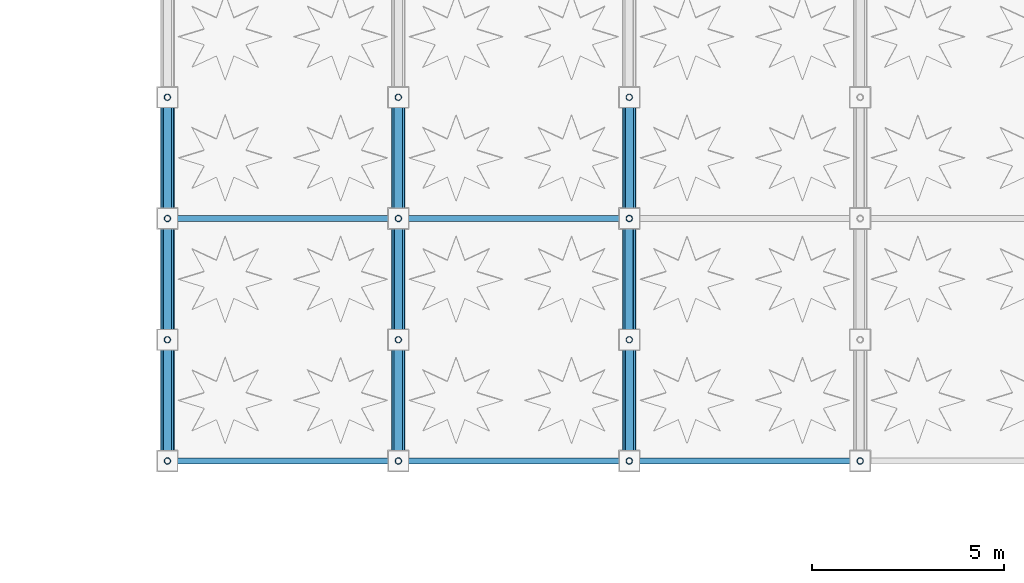
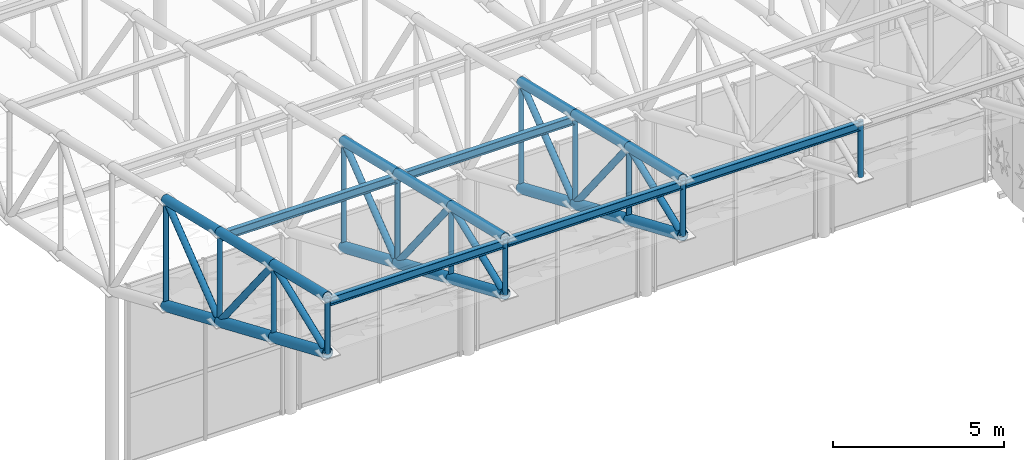
# One storey, part 16 of 123: 40 members, 5 beams.
"""IFC4 building model written with IfcOpenShell, lengths in metres."""

from ifc_helpers import new_model, si_unit, direction, frame, origin, origin_2d, place, context, subcontext, project, spatial, hollow_circle, i_section, extrude, material, material_profile, profile_set, type_object, element, save


model = new_model("IFC4")

# Units and contexts
model_context = context("Model", 3, precision=1e-05, world=origin(), true_north=direction((0.0, 1.0)))
body_context = subcontext(model_context, "Body", "Model", "MODEL_VIEW")
ifc_project = project(units=[si_unit("LENGTHUNIT", "METRE"), si_unit("AREAUNIT", "SQUARE_METRE"), si_unit("VOLUMEUNIT", "CUBIC_METRE"), si_unit("PLANEANGLEUNIT", "RADIAN"), si_unit("MASSUNIT", "GRAM", prefix="KILO"), si_unit("THERMODYNAMICTEMPERATUREUNIT", "KELVIN"), si_unit("POWERUNIT", "WATT")], contexts=[model_context])

# Site, building, storey
site_placement = place(None, origin())
site = spatial("IfcSite", under=ifc_project, at=site_placement, CompositionType="ELEMENT")
building_placement = place(site_placement, origin())
building = spatial("IfcBuilding", under=site, at=building_placement, Name="Phaisarnlok Congress Hotel", CompositionType="ELEMENT")
storey_placement = place(building_placement, frame((0.0, 0.0, 15.0)))
storey = spatial("IfcBuildingStorey", under=building, at=storey_placement, Name="L03", CompositionType="ELEMENT", Elevation=15.0)

# Beams
ifc_material = material(Name="Steel S355", Category="steel")
ifc_material_profile_1 = material_profile(ifc_material, i_section(OverallWidth=0.14990234375, OverallDepth=0.300048828125, WebThickness=0.007080078125, FlangeThickness=0.0107421875, FilletRadius=0.014892578125, at=origin_2d()), Name="IPE 300")
ifc_profile_set_1 = profile_set([ifc_material_profile_1], Name="Steel S355")
beam_type = type_object("IfcBeamType", Name="JS-STL-IPE300-EXT", PredefinedType="JOIST", material=ifc_profile_set_1)
for number, where, z_axis, x_axis, name in (
    (1, (66.0, 11.699951171875, 12.13427734375), (1.0, 0.0, 0.0), (0.0, 1.0, 0.0), "South wing roof purlin"),
    (2, (66.0, 5.39990234375, 13.637939453125), (1.0, 0.0, 0.0), (0.0, 1.0, 0.0), "South wing roof purlin"),
    (3, (72.0, 11.699951171875, 12.13427734375), (1.0, 0.0, 0.0), (0.0, 1.0, 0.0), "South wing roof purlin"),
    (4, (72.0, 5.39990234375, 13.637939453125), (1.0, 0.0, 0.0), (0.0, 1.0, 0.0), "South wing roof purlin"),
    (5, (78.0, 5.39990234375, 13.637939453125), (1.0, 0.0, 0.0), (0.0, 1.0, 0.0), "South wing roof purlin"),
):
    element("IfcBeam", number, at=place(storey_placement, frame(where, z_axis=z_axis, x_axis=x_axis)), inside=storey, type_object=beam_type, Name=name, PredefinedType="JOIST", context=body_context, shape_type="SweptSolid", body=[
        extrude(i_section(OverallWidth=0.14990234375, OverallDepth=0.300048828125, WebThickness=0.007080078125, FlangeThickness=0.0107421875, FilletRadius=0.014892578125, at=origin_2d()), origin(), (0.0, 0.0, 1.0), 6.0),
    ])

# Members
ifc_material_profile_2 = material_profile(ifc_material, hollow_circle(Radius=0.084228515625, WallThickness=0.010009765625, at=origin_2d()), Name="CHS 168.3x10")
ifc_profile_set_2 = profile_set([ifc_material_profile_2], Name="Steel S355")
member_type_1 = type_object("IfcMemberType", Name="MEM-BRC-CHS168-EXT", PredefinedType="BRACE", material=ifc_profile_set_2)
member_1_placement = place(storey_placement, frame((66.0, 14.85009765625, 7.75), z_axis=(0.0, 0.0, 1.0), x_axis=(1.0, 0.0, 0.0)))
element("IfcMember", 6, at=member_1_placement, inside=storey, type_object=member_type_1, Name="South wing roof truss vertical web", PredefinedType="BRACE", context=body_context, shape_type="SweptSolid", body=[
    extrude(hollow_circle(Radius=0.084228515625, WallThickness=0.010009765625, at=origin_2d()), origin(), (0.0, 0.0, 1.0), 3.79443359375),
])
member_2_placement = place(storey_placement, frame((66.0, 11.699951171875, 9.10009765625), z_axis=(0.0, 0.0, 1.0), x_axis=(1.0, 0.0, 0.0)))
element("IfcMember", 7, at=member_2_placement, inside=storey, type_object=member_type_1, Name="South wing roof truss vertical web", PredefinedType="BRACE", context=body_context, shape_type="SweptSolid", body=[
    extrude(hollow_circle(Radius=0.084228515625, WallThickness=0.010009765625, at=origin_2d()), origin(), (0.0, 0.0, 1.0), 3.1962890625),
])
member_3_placement = place(storey_placement, frame((66.0, 8.550048828125, 10.449951171875), z_axis=(0.0, 0.0, 1.0), x_axis=(1.0, 0.0, 0.0)))
element("IfcMember", 8, at=member_3_placement, inside=storey, type_object=member_type_1, Name="South wing roof truss vertical web", PredefinedType="BRACE", context=body_context, shape_type="SweptSolid", body=[
    extrude(hollow_circle(Radius=0.084228515625, WallThickness=0.010009765625, at=origin_2d()), origin(), (0.0, 0.0, 1.0), 2.59814453125),
])
member_4_placement = place(storey_placement, frame((66.0, 5.39990234375, 11.800048828125), z_axis=(0.0, 0.0, 1.0), x_axis=(1.0, 0.0, 0.0)))
element("IfcMember", 9, at=member_4_placement, inside=storey, type_object=member_type_1, Name="South wing roof truss vertical web", PredefinedType="BRACE", context=body_context, shape_type="SweptSolid", body=[
    extrude(hollow_circle(Radius=0.084228515625, WallThickness=0.010009765625, at=origin_2d()), origin(), (0.0, 0.0, 1.0), 2.0),
])
member_5_placement = place(storey_placement, frame((72.0, 14.85009765625, 7.75), z_axis=(0.0, 0.0, 1.0), x_axis=(1.0, 0.0, 0.0)))
element("IfcMember", 10, at=member_5_placement, inside=storey, type_object=member_type_1, Name="South wing roof truss vertical web", PredefinedType="BRACE", context=body_context, shape_type="SweptSolid", body=[
    extrude(hollow_circle(Radius=0.084228515625, WallThickness=0.010009765625, at=origin_2d()), origin(), (0.0, 0.0, 1.0), 3.79443359375),
])
member_6_placement = place(storey_placement, frame((72.0, 11.699951171875, 9.10009765625), z_axis=(0.0, 0.0, 1.0), x_axis=(1.0, 0.0, 0.0)))
element("IfcMember", 11, at=member_6_placement, inside=storey, type_object=member_type_1, Name="South wing roof truss vertical web", PredefinedType="BRACE", context=body_context, shape_type="SweptSolid", body=[
    extrude(hollow_circle(Radius=0.084228515625, WallThickness=0.010009765625, at=origin_2d()), origin(), (0.0, 0.0, 1.0), 3.1962890625),
])
member_7_placement = place(storey_placement, frame((72.0, 8.550048828125, 10.449951171875), z_axis=(0.0, 0.0, 1.0), x_axis=(1.0, 0.0, 0.0)))
element("IfcMember", 12, at=member_7_placement, inside=storey, type_object=member_type_1, Name="South wing roof truss vertical web", PredefinedType="BRACE", context=body_context, shape_type="SweptSolid", body=[
    extrude(hollow_circle(Radius=0.084228515625, WallThickness=0.010009765625, at=origin_2d()), origin(), (0.0, 0.0, 1.0), 2.59814453125),
])
member_8_placement = place(storey_placement, frame((72.0, 5.39990234375, 11.800048828125), z_axis=(0.0, 0.0, 1.0), x_axis=(1.0, 0.0, 0.0)))
element("IfcMember", 13, at=member_8_placement, inside=storey, type_object=member_type_1, Name="South wing roof truss vertical web", PredefinedType="BRACE", context=body_context, shape_type="SweptSolid", body=[
    extrude(hollow_circle(Radius=0.084228515625, WallThickness=0.010009765625, at=origin_2d()), origin(), (0.0, 0.0, 1.0), 2.0),
])
member_9_placement = place(storey_placement, frame((78.0, 14.85009765625, 7.75), z_axis=(0.0, 0.0, 1.0), x_axis=(1.0, 0.0, 0.0)))
element("IfcMember", 14, at=member_9_placement, inside=storey, type_object=member_type_1, Name="South wing roof truss vertical web", PredefinedType="BRACE", context=body_context, shape_type="SweptSolid", body=[
    extrude(hollow_circle(Radius=0.084228515625, WallThickness=0.010009765625, at=origin_2d()), origin(), (0.0, 0.0, 1.0), 3.79443359375),
])
member_10_placement = place(storey_placement, frame((78.0, 11.699951171875, 9.10009765625), z_axis=(0.0, 0.0, 1.0), x_axis=(1.0, 0.0, 0.0)))
element("IfcMember", 15, at=member_10_placement, inside=storey, type_object=member_type_1, Name="South wing roof truss vertical web", PredefinedType="BRACE", context=body_context, shape_type="SweptSolid", body=[
    extrude(hollow_circle(Radius=0.084228515625, WallThickness=0.010009765625, at=origin_2d()), origin(), (0.0, 0.0, 1.0), 3.1962890625),
])
member_11_placement = place(storey_placement, frame((78.0, 8.550048828125, 10.449951171875), z_axis=(0.0, 0.0, 1.0), x_axis=(1.0, 0.0, 0.0)))
element("IfcMember", 16, at=member_11_placement, inside=storey, type_object=member_type_1, Name="South wing roof truss vertical web", PredefinedType="BRACE", context=body_context, shape_type="SweptSolid", body=[
    extrude(hollow_circle(Radius=0.084228515625, WallThickness=0.010009765625, at=origin_2d()), origin(), (0.0, 0.0, 1.0), 2.59814453125),
])
for number, where, z_axis, x_axis, name in (
    (17, (78.0, 5.39990234375, 11.800048828125), (0.0, 0.0, 1.0), (1.0, 0.0, 0.0), "South wing roof truss vertical web"),
    (18, (84.0, 5.39990234375, 11.800048828125), (0.0, 0.0, 1.0), (1.0, 0.0, 0.0), "South wing roof truss vertical web"),
):
    element("IfcMember", number, at=place(storey_placement, frame(where, z_axis=z_axis, x_axis=x_axis)), inside=storey, type_object=member_type_1, Name=name, PredefinedType="BRACE", context=body_context, shape_type="SweptSolid", body=[
        extrude(hollow_circle(Radius=0.084228515625, WallThickness=0.010009765625, at=origin_2d()), origin(), (0.0, 0.0, 1.0), 2.0),
    ])
ifc_material_profile_3 = material_profile(ifc_material, hollow_circle(Radius=0.109619140625, WallThickness=0.012451171875, at=origin_2d()), Name="CHS 219.1x12.5")
ifc_profile_set_3 = profile_set([ifc_material_profile_3], Name="Steel S355")
member_type_2 = type_object("IfcMemberType", Name="MEM-BRC-CHS219-EXT", PredefinedType="BRACE", material=ifc_profile_set_3)
member_12_placement = place(storey_placement, frame((66.0, 11.699951171875, 9.10009765625), z_axis=(0.0, 0.790053964884, 0.613037301125), x_axis=(-1.0, 0.0, 0.0)))
element("IfcMember", 19, at=member_12_placement, inside=storey, type_object=member_type_2, Name="South wing roof truss diagonal brace", PredefinedType="BRACE", context=body_context, shape_type="SweptSolid", body=[
    extrude(hollow_circle(Radius=0.109619140625, WallThickness=0.012451171875, at=origin_2d()), origin(), (0.0, 0.0, 1.0), 3.9873046875),
])
member_13_placement = place(storey_placement, frame((66.0, 11.699951171875, 9.10009765625), z_axis=(0.0, -0.623668780247, 0.781688718445), x_axis=(1.0, 0.0, 0.0)))
element("IfcMember", 20, at=member_13_placement, inside=storey, type_object=member_type_2, Name="South wing roof truss diagonal brace", PredefinedType="BRACE", context=body_context, shape_type="SweptSolid", body=[
    extrude(hollow_circle(Radius=0.109619140625, WallThickness=0.012451171875, at=origin_2d()), origin(), (0.0, 0.0, 1.0), 5.050537109375),
])
member_14_placement = place(storey_placement, frame((66.0, 5.39990234375, 11.800048828125), z_axis=(0.0, 0.929694070323, 0.368332642602), x_axis=(-1.0, 0.0, 0.0)))
element("IfcMember", 21, at=member_14_placement, inside=storey, type_object=member_type_2, Name="South wing roof truss diagonal brace", PredefinedType="BRACE", context=body_context, shape_type="SweptSolid", body=[
    extrude(hollow_circle(Radius=0.109619140625, WallThickness=0.012451171875, at=origin_2d()), origin(), (0.0, 0.0, 1.0), 3.388427734375),
])
member_15_placement = place(storey_placement, frame((72.0, 11.699951171875, 9.10009765625), z_axis=(0.0, 0.790053964884, 0.613037301125), x_axis=(-1.0, 0.0, 0.0)))
element("IfcMember", 22, at=member_15_placement, inside=storey, type_object=member_type_2, Name="South wing roof truss diagonal brace", PredefinedType="BRACE", context=body_context, shape_type="SweptSolid", body=[
    extrude(hollow_circle(Radius=0.109619140625, WallThickness=0.012451171875, at=origin_2d()), origin(), (0.0, 0.0, 1.0), 3.9873046875),
])
member_16_placement = place(storey_placement, frame((72.0, 11.699951171875, 9.10009765625), z_axis=(0.0, -0.623668780247, 0.781688718445), x_axis=(1.0, 0.0, 0.0)))
element("IfcMember", 23, at=member_16_placement, inside=storey, type_object=member_type_2, Name="South wing roof truss diagonal brace", PredefinedType="BRACE", context=body_context, shape_type="SweptSolid", body=[
    extrude(hollow_circle(Radius=0.109619140625, WallThickness=0.012451171875, at=origin_2d()), origin(), (0.0, 0.0, 1.0), 5.050537109375),
])
member_17_placement = place(storey_placement, frame((72.0, 5.39990234375, 11.800048828125), z_axis=(0.0, 0.929694070323, 0.368332642602), x_axis=(-1.0, 0.0, 0.0)))
element("IfcMember", 24, at=member_17_placement, inside=storey, type_object=member_type_2, Name="South wing roof truss diagonal brace", PredefinedType="BRACE", context=body_context, shape_type="SweptSolid", body=[
    extrude(hollow_circle(Radius=0.109619140625, WallThickness=0.012451171875, at=origin_2d()), origin(), (0.0, 0.0, 1.0), 3.388427734375),
])
member_18_placement = place(storey_placement, frame((78.0, 11.699951171875, 9.10009765625), z_axis=(0.0, 0.790053964884, 0.613037301125), x_axis=(-1.0, 0.0, 0.0)))
element("IfcMember", 25, at=member_18_placement, inside=storey, type_object=member_type_2, Name="South wing roof truss diagonal brace", PredefinedType="BRACE", context=body_context, shape_type="SweptSolid", body=[
    extrude(hollow_circle(Radius=0.109619140625, WallThickness=0.012451171875, at=origin_2d()), origin(), (0.0, 0.0, 1.0), 3.9873046875),
])
member_19_placement = place(storey_placement, frame((78.0, 11.699951171875, 9.10009765625), z_axis=(0.0, -0.623668780247, 0.781688718445), x_axis=(1.0, 0.0, 0.0)))
element("IfcMember", 26, at=member_19_placement, inside=storey, type_object=member_type_2, Name="South wing roof truss diagonal brace", PredefinedType="BRACE", context=body_context, shape_type="SweptSolid", body=[
    extrude(hollow_circle(Radius=0.109619140625, WallThickness=0.012451171875, at=origin_2d()), origin(), (0.0, 0.0, 1.0), 5.050537109375),
])
member_20_placement = place(storey_placement, frame((78.0, 5.39990234375, 11.800048828125), z_axis=(0.0, 0.929694070323, 0.368332642602), x_axis=(-1.0, 0.0, 0.0)))
element("IfcMember", 27, at=member_20_placement, inside=storey, type_object=member_type_2, Name="South wing roof truss diagonal brace", PredefinedType="BRACE", context=body_context, shape_type="SweptSolid", body=[
    extrude(hollow_circle(Radius=0.109619140625, WallThickness=0.012451171875, at=origin_2d()), origin(), (0.0, 0.0, 1.0), 3.388427734375),
])
ifc_material_profile_4 = material_profile(ifc_material, hollow_circle(Radius=0.161865234375, WallThickness=0.01611328125, at=origin_2d()), Name="CHS 323.9x16")
ifc_profile_set_4 = profile_set([ifc_material_profile_4], Name="Steel S355")
member_type_3 = type_object("IfcMemberType", Name="MEM-CHD-CHS324-EXT", PredefinedType="CHORD", material=ifc_profile_set_4)
member_21_placement = place(storey_placement, frame((66.0, 14.85009765625, 11.54443359375), z_axis=(0.0, -0.972672595385, 0.232181011686), x_axis=(1.0, 0.0, 0.0)))
element("IfcMember", 28, at=member_21_placement, inside=storey, type_object=member_type_3, Name="South wing roof truss top chord", PredefinedType="CHORD", context=body_context, shape_type="SweptSolid", body=[
    extrude(hollow_circle(Radius=0.161865234375, WallThickness=0.01611328125, at=origin_2d()), origin(), (0.0, 0.0, 1.0), 3.23876953125),
])
member_22_placement = place(storey_placement, frame((66.0, 11.699951171875, 12.29638671875), z_axis=(0.0, -0.972685555578, 0.232126711023), x_axis=(1.0, 0.0, 0.0)))
element("IfcMember", 29, at=member_22_placement, inside=storey, type_object=member_type_3, Name="South wing roof truss top chord", PredefinedType="CHORD", context=body_context, shape_type="SweptSolid", body=[
    extrude(hollow_circle(Radius=0.161865234375, WallThickness=0.01611328125, at=origin_2d()), origin(), (0.0, 0.0, 1.0), 3.23828125),
])
for number, where, z_axis, x_axis, name in (
    (30, (66.0, 8.550048828125, 13.048095703125), (0.0, -0.972672595385, 0.232181011686), (1.0, 0.0, 0.0), "South wing roof truss top chord"),
    (31, (72.0, 14.85009765625, 11.54443359375), (0.0, -0.972672595385, 0.232181011686), (1.0, 0.0, 0.0), "South wing roof truss top chord"),
):
    element("IfcMember", number, at=place(storey_placement, frame(where, z_axis=z_axis, x_axis=x_axis)), inside=storey, type_object=member_type_3, Name=name, PredefinedType="CHORD", context=body_context, shape_type="SweptSolid", body=[
        extrude(hollow_circle(Radius=0.161865234375, WallThickness=0.01611328125, at=origin_2d()), origin(), (0.0, 0.0, 1.0), 3.23876953125),
    ])
member_23_placement = place(storey_placement, frame((72.0, 11.699951171875, 12.29638671875), z_axis=(0.0, -0.972685555578, 0.232126711023), x_axis=(1.0, 0.0, 0.0)))
element("IfcMember", 32, at=member_23_placement, inside=storey, type_object=member_type_3, Name="South wing roof truss top chord", PredefinedType="CHORD", context=body_context, shape_type="SweptSolid", body=[
    extrude(hollow_circle(Radius=0.161865234375, WallThickness=0.01611328125, at=origin_2d()), origin(), (0.0, 0.0, 1.0), 3.23828125),
])
for number, where, z_axis, x_axis, name in (
    (33, (72.0, 8.550048828125, 13.048095703125), (0.0, -0.972672595385, 0.232181011686), (1.0, 0.0, 0.0), "South wing roof truss top chord"),
    (34, (78.0, 14.85009765625, 11.54443359375), (0.0, -0.972672595385, 0.232181011686), (1.0, 0.0, 0.0), "South wing roof truss top chord"),
):
    element("IfcMember", number, at=place(storey_placement, frame(where, z_axis=z_axis, x_axis=x_axis)), inside=storey, type_object=member_type_3, Name=name, PredefinedType="CHORD", context=body_context, shape_type="SweptSolid", body=[
        extrude(hollow_circle(Radius=0.161865234375, WallThickness=0.01611328125, at=origin_2d()), origin(), (0.0, 0.0, 1.0), 3.23876953125),
    ])
member_24_placement = place(storey_placement, frame((78.0, 11.699951171875, 12.29638671875), z_axis=(0.0, -0.972685555578, 0.232126711023), x_axis=(1.0, 0.0, 0.0)))
element("IfcMember", 35, at=member_24_placement, inside=storey, type_object=member_type_3, Name="South wing roof truss top chord", PredefinedType="CHORD", context=body_context, shape_type="SweptSolid", body=[
    extrude(hollow_circle(Radius=0.161865234375, WallThickness=0.01611328125, at=origin_2d()), origin(), (0.0, 0.0, 1.0), 3.23828125),
])
member_25_placement = place(storey_placement, frame((78.0, 8.550048828125, 13.048095703125), z_axis=(0.0, -0.972672595385, 0.232181011686), x_axis=(1.0, 0.0, 0.0)))
element("IfcMember", 36, at=member_25_placement, inside=storey, type_object=member_type_3, Name="South wing roof truss top chord", PredefinedType="CHORD", context=body_context, shape_type="SweptSolid", body=[
    extrude(hollow_circle(Radius=0.161865234375, WallThickness=0.01611328125, at=origin_2d()), origin(), (0.0, 0.0, 1.0), 3.23876953125),
])
ifc_material_profile_5 = material_profile(ifc_material, hollow_circle(Radius=0.177734375, WallThickness=0.02001953125, at=origin_2d()), Name="CHS 355.6x20")
ifc_profile_set_5 = profile_set([ifc_material_profile_5], Name="Steel S355")
member_type_4 = type_object("IfcMemberType", Name="MEM-CHD-CHS356-EXT", PredefinedType="CHORD", material=ifc_profile_set_5)
member_26_placement = place(storey_placement, frame((66.0, 14.85009765625, 7.75), z_axis=(0.0, -0.919141345424, 0.393927895853), x_axis=(1.0, 0.0, 0.0)))
element("IfcMember", 37, at=member_26_placement, inside=storey, type_object=member_type_4, Name="South wing roof truss bottom chord", PredefinedType="CHORD", context=body_context, shape_type="SweptSolid", body=[
    extrude(hollow_circle(Radius=0.177734375, WallThickness=0.02001953125, at=origin_2d()), origin(), (0.0, 0.0, 1.0), 3.42724609375),
])
member_27_placement = place(storey_placement, frame((66.0, 11.699951171875, 9.10009765625), z_axis=(0.0, -0.919156084351, 0.393893504137), x_axis=(1.0, 0.0, 0.0)))
element("IfcMember", 38, at=member_27_placement, inside=storey, type_object=member_type_4, Name="South wing roof truss bottom chord", PredefinedType="CHORD", context=body_context, shape_type="SweptSolid", body=[
    extrude(hollow_circle(Radius=0.177734375, WallThickness=0.02001953125, at=origin_2d()), origin(), (0.0, 0.0, 1.0), 3.427001953125),
])
for number, where, z_axis, x_axis, name in (
    (39, (66.0, 8.550048828125, 10.449951171875), (0.0, -0.919141345424, 0.393927895853), (1.0, 0.0, 0.0), "South wing roof truss bottom chord"),
    (40, (72.0, 14.85009765625, 7.75), (0.0, -0.919141345424, 0.393927895853), (1.0, 0.0, 0.0), "South wing roof truss bottom chord"),
):
    element("IfcMember", number, at=place(storey_placement, frame(where, z_axis=z_axis, x_axis=x_axis)), inside=storey, type_object=member_type_4, Name=name, PredefinedType="CHORD", context=body_context, shape_type="SweptSolid", body=[
        extrude(hollow_circle(Radius=0.177734375, WallThickness=0.02001953125, at=origin_2d()), origin(), (0.0, 0.0, 1.0), 3.42724609375),
    ])
member_28_placement = place(storey_placement, frame((72.0, 11.699951171875, 9.10009765625), z_axis=(0.0, -0.919156084351, 0.393893504137), x_axis=(1.0, 0.0, 0.0)))
element("IfcMember", 41, at=member_28_placement, inside=storey, type_object=member_type_4, Name="South wing roof truss bottom chord", PredefinedType="CHORD", context=body_context, shape_type="SweptSolid", body=[
    extrude(hollow_circle(Radius=0.177734375, WallThickness=0.02001953125, at=origin_2d()), origin(), (0.0, 0.0, 1.0), 3.427001953125),
])
for number, where, z_axis, x_axis, name in (
    (42, (72.0, 8.550048828125, 10.449951171875), (0.0, -0.919141345424, 0.393927895853), (1.0, 0.0, 0.0), "South wing roof truss bottom chord"),
    (43, (78.0, 14.85009765625, 7.75), (0.0, -0.919141345424, 0.393927895853), (1.0, 0.0, 0.0), "South wing roof truss bottom chord"),
):
    element("IfcMember", number, at=place(storey_placement, frame(where, z_axis=z_axis, x_axis=x_axis)), inside=storey, type_object=member_type_4, Name=name, PredefinedType="CHORD", context=body_context, shape_type="SweptSolid", body=[
        extrude(hollow_circle(Radius=0.177734375, WallThickness=0.02001953125, at=origin_2d()), origin(), (0.0, 0.0, 1.0), 3.42724609375),
    ])
member_29_placement = place(storey_placement, frame((78.0, 11.699951171875, 9.10009765625), z_axis=(0.0, -0.919156084351, 0.393893504137), x_axis=(1.0, 0.0, 0.0)))
element("IfcMember", 44, at=member_29_placement, inside=storey, type_object=member_type_4, Name="South wing roof truss bottom chord", PredefinedType="CHORD", context=body_context, shape_type="SweptSolid", body=[
    extrude(hollow_circle(Radius=0.177734375, WallThickness=0.02001953125, at=origin_2d()), origin(), (0.0, 0.0, 1.0), 3.427001953125),
])
member_30_placement = place(storey_placement, frame((78.0, 8.550048828125, 10.449951171875), z_axis=(0.0, -0.919141345424, 0.393927895853), x_axis=(1.0, 0.0, 0.0)))
element("IfcMember", 45, at=member_30_placement, inside=storey, type_object=member_type_4, Name="South wing roof truss bottom chord", PredefinedType="CHORD", context=body_context, shape_type="SweptSolid", body=[
    extrude(hollow_circle(Radius=0.177734375, WallThickness=0.02001953125, at=origin_2d()), origin(), (0.0, 0.0, 1.0), 3.42724609375),
])

save(model, "model.ifc")
